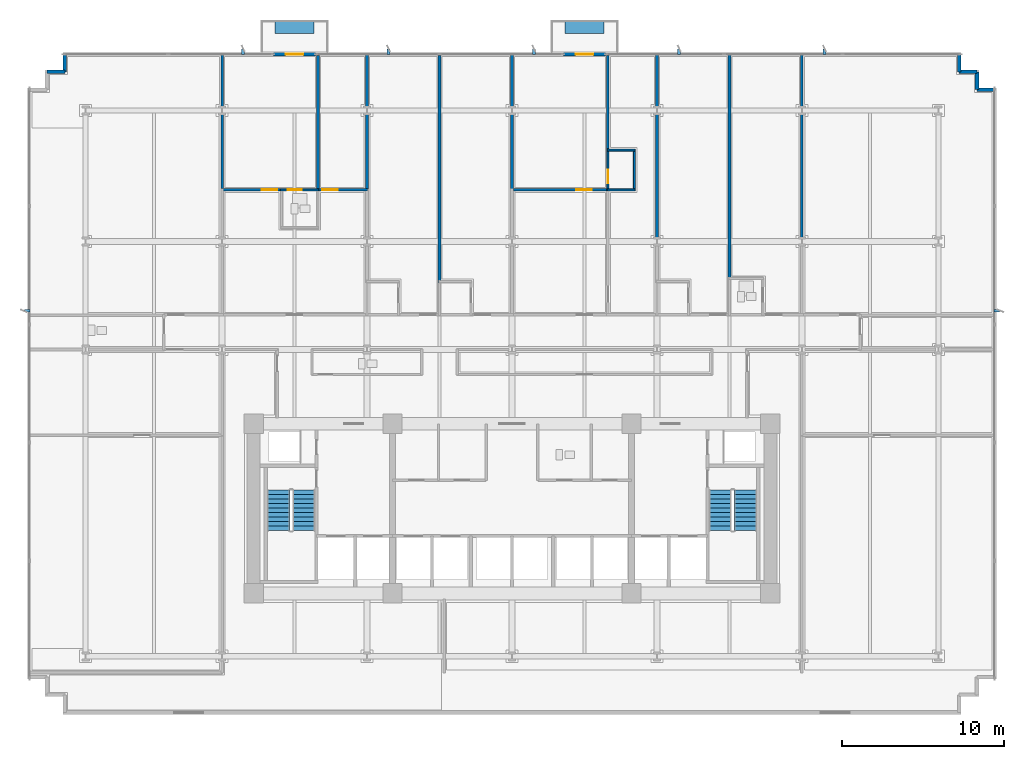
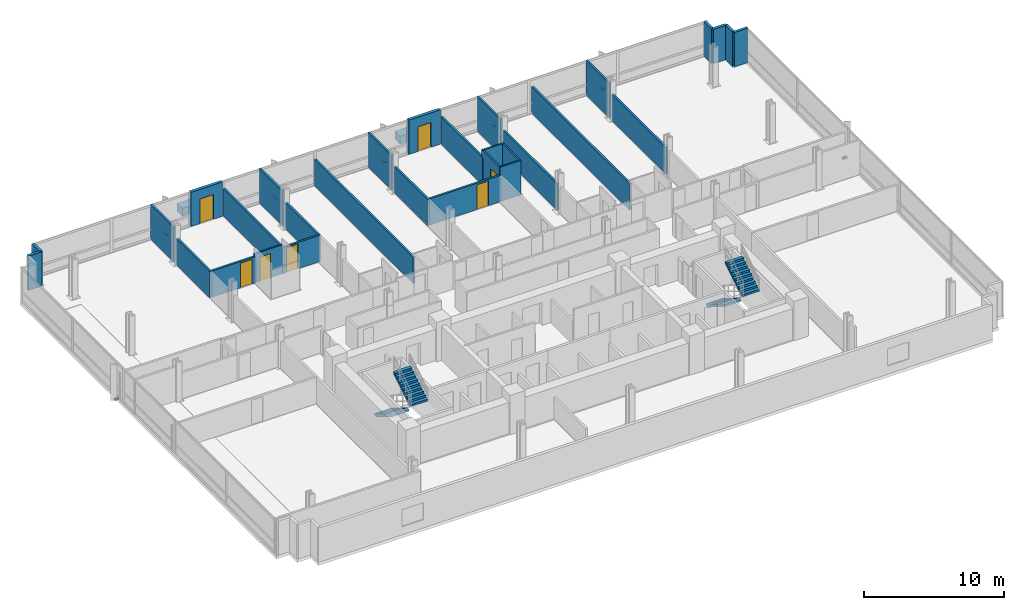
# One storey, part 11 of 15: 30 walls, 9 discrete accessories, 7 doors, 4 stair flights, 7 openings, 2 elements without a shape of their own.
"""IFC4 building model written with IfcOpenShell, lengths in metres."""

from ifc_helpers import new_model, si_unit, direction, frame, frame_2d, origin, origin_2d, place, context, subcontext, project, spatial, polyline, rectangle, outline, extrude, material, layer, layer_set, type_object, element, fill, aggregate, save


model = new_model("IFC4")

# Units and contexts
model_context = context("Model", 3, precision=1e-05, world=origin(), true_north=direction((0.0, 1.0)))
body_context = subcontext(model_context, "Body", "Model", "MODEL_VIEW")
ifc_project = project(units=[si_unit("LENGTHUNIT", "METRE"), si_unit("AREAUNIT", "SQUARE_METRE"), si_unit("VOLUMEUNIT", "CUBIC_METRE"), si_unit("PLANEANGLEUNIT", "RADIAN"), si_unit("MASSUNIT", "GRAM", prefix="KILO")], contexts=[model_context])

# Site, building, storey
site_placement = place(None, origin())
site = spatial("IfcSite", under=ifc_project, at=site_placement, CompositionType="ELEMENT")
building_placement = place(site_placement, origin())
building = spatial("IfcBuilding", under=site, at=building_placement, Name="Solmavex Isthmus Hotel", CompositionType="ELEMENT")
storey_placement = place(building_placement, frame((0.0, 0.0, 71.25)))
storey = spatial("IfcBuildingStorey", under=building, at=storey_placement, Name="L19", CompositionType="ELEMENT", Elevation=71.25)

# Wall, opening, door
ifc_material_1 = material(Name="Precast Concrete C40/50", Category="concrete")
ifc_layer_1 = layer(ifc_material_1, 0.25)
ifc_layer_set_1 = layer_set([ifc_layer_1], Name="Precast Concrete C40/50")
wall_type_1 = type_object("IfcWallType", Name="EW-TWR-250", PredefinedType="STANDARD", material=ifc_layer_set_1)
wall_1_placement = place(storey_placement, frame((-14.763916015625, 20.3798828125, 0.0), z_axis=(0.0, 0.0, 1.0), x_axis=(1.0, 0.0, 0.0)))
wall_1 = element("IfcWall", 1, at=wall_1_placement, inside=storey, type_object=wall_type_1, Name="Exterior Balcony Door Wall L19-2", PredefinedType="STANDARD", context=body_context, shape_type="SweptSolid", body=[
    extrude(rectangle(XDim=2.599853515625, YDim=0.239990234375, at=frame_2d((1.2998046875, 0.0))), origin(), (0.0, 0.0, 1.0), 3.0),
])
opening_1_placement = place(wall_1_placement, frame((0.75, 0.0, 0.0)))
opening_1 = element("IfcOpeningElement", 2, at=opening_1_placement, cuts=wall_1, Name="Opening ED-02", PredefinedType="OPENING", context=body_context, shape_type="SweptSolid", body=[
    extrude(rectangle(XDim=1.10009765625, YDim=2.14990234375, at=frame_2d((0.550048828125, 1.074951171875))), frame((0.0, 0.1298828125, 0.0), z_axis=(0.0, -1.0, 0.0), x_axis=(1.0, 0.0, 0.0)), (0.0, 0.0, 1.0), 0.260009765625),
])
ifc_material_2 = material(Name="Aluminium alloy 6063-T6", Category="aluminium")
door_type_1 = type_object("IfcDoorType", Name="EDR-BALC-1100", OperationType="NOTDEFINED", PredefinedType="DOOR", material=ifc_material_2)
door_1_placement = place(opening_1_placement, origin())
door_1 = element("IfcDoor", 3, at=door_1_placement, inside=storey, type_object=door_type_1, Name="Balcony & Terrace Glazed Door L19-2", OperationType="SINGLE_SWING_RIGHT", OverallHeight=2.14990234375, OverallWidth=1.10009765625, PredefinedType="DOOR", context=body_context, shape_type="SweptSolid", body=[
    extrude(rectangle(XDim=1.10009765625, YDim=2.14990234375, at=frame_2d((0.550048828125, 1.074951171875))), frame((0.0, 0.02490234375, 0.0), z_axis=(0.0, -1.0, 0.0), x_axis=(1.0, 0.0, 0.0)), (0.0, 0.0, 1.0), 0.050048828125),
])
fill(opening_1, door_1)

wall_2_placement = place(storey_placement, frame((3.18798828125, 20.3798828125, 0.0), z_axis=(0.0, 0.0, 1.0), x_axis=(1.0, 0.0, 0.0)))
wall_2 = element("IfcWall", 4, at=wall_2_placement, inside=storey, type_object=wall_type_1, Name="Exterior Balcony Door Wall L19-3", PredefinedType="STANDARD", context=body_context, shape_type="SweptSolid", body=[
    extrude(rectangle(XDim=2.60009765625, YDim=0.239990234375, at=frame_2d((1.300048828125, 0.0))), origin(), (0.0, 0.0, 1.0), 3.0),
])
opening_2_placement = place(wall_2_placement, frame((0.75, 0.0, 0.0)))
opening_2 = element("IfcOpeningElement", 5, at=opening_2_placement, cuts=wall_2, Name="Opening ED-02", PredefinedType="OPENING", context=body_context, shape_type="SweptSolid", body=[
    extrude(rectangle(XDim=1.10009765625, YDim=2.14990234375, at=frame_2d((0.550048828125, 1.074951171875))), frame((0.0, 0.1298828125, 0.0), z_axis=(0.0, -1.0, 0.0), x_axis=(1.0, 0.0, 0.0)), (0.0, 0.0, 1.0), 0.260009765625),
])
door_2_placement = place(opening_2_placement, origin())
door_2 = element("IfcDoor", 6, at=door_2_placement, inside=storey, type_object=door_type_1, Name="Balcony & Terrace Glazed Door L19-3", OperationType="SINGLE_SWING_LEFT", OverallHeight=2.14990234375, OverallWidth=1.10009765625, PredefinedType="DOOR", context=body_context, shape_type="SweptSolid", body=[
    extrude(rectangle(XDim=1.10009765625, YDim=2.14990234375, at=frame_2d((0.550048828125, 1.074951171875))), frame((0.0, 0.02490234375, 0.0), z_axis=(0.0, -1.0, 0.0), x_axis=(1.0, 0.0, 0.0)), (0.0, 0.0, 1.0), 0.050048828125),
])
fill(opening_2, door_2)

# Walls
wall_3_placement = place(storey_placement, frame((-28.7900390625, 19.2900390625, 0.0), z_axis=(0.0, 0.0, 1.0), x_axis=(1.0, 0.0, 0.0)))
element("IfcWall", 7, at=wall_3_placement, inside=storey, type_object=wall_type_1, Name="Serrated Corner Facade Panel L19-08", PredefinedType="STANDARD", context=body_context, shape_type="SweptSolid", body=[
    extrude(rectangle(XDim=1.10009765625, YDim=0.219970703125, at=frame_2d((0.550048828125, 0.0))), origin(), (0.0, 0.0, 1.0), 3.0),
])
for number, where, z_axis, x_axis, name in (
    (8, (-27.68994140625, 19.2900390625, 0.0), (0.0, 0.0, 1.0), (0.0, 1.0, 0.0), "Serrated Corner Facade Panel L19-09"),
    (9, (27.68994140625, 20.389892578125, 0.0), (0.0, 0.0, 1.0), (0.0, -1.0, 0.0), "Serrated Corner Facade Panel L19-11"),
):
    element("IfcWall", number, at=place(storey_placement, frame(where, z_axis=z_axis, x_axis=x_axis)), inside=storey, type_object=wall_type_1, Name=name, PredefinedType="STANDARD", context=body_context, shape_type="SweptSolid", body=[
        extrude(rectangle(XDim=1.099853515625, YDim=0.219970703125, at=frame_2d((0.5498046875, 0.0))), origin(), (0.0, 0.0, 1.0), 3.0),
    ])
for number, where, z_axis, x_axis, name in (
    (10, (27.68994140625, 19.2900390625, 0.0), (0.0, 0.0, 1.0), (1.0, 0.0, 0.0), "Serrated Corner Facade Panel L19-12"),
    (11, (28.7900390625, 19.2900390625, 0.0), (0.0, 0.0, 1.0), (0.0, -1.0, 0.0), "Serrated Corner Facade Panel L19-13"),
):
    element("IfcWall", number, at=place(storey_placement, frame(where, z_axis=z_axis, x_axis=x_axis)), inside=storey, type_object=wall_type_1, Name=name, PredefinedType="STANDARD", context=body_context, shape_type="SweptSolid", body=[
        extrude(rectangle(XDim=1.10009765625, YDim=0.219970703125, at=frame_2d((0.550048828125, 0.0))), origin(), (0.0, 0.0, 1.0), 3.0),
    ])
wall_4_placement = place(storey_placement, frame((28.7900390625, 18.18994140625, 0.0), z_axis=(0.0, 0.0, 1.0), x_axis=(1.0, 0.0, 0.0)))
element("IfcWall", 12, at=wall_4_placement, inside=storey, type_object=wall_type_1, Name="Serrated Corner Facade Panel L19-14", PredefinedType="STANDARD", context=body_context, shape_type="SweptSolid", body=[
    extrude(rectangle(XDim=1.099853515625, YDim=0.219970703125, at=frame_2d((0.5498046875, 0.0))), origin(), (0.0, 0.0, 1.0), 3.0),
])
ifc_material_3 = material(Name="Gypsum plasterboard lining", Category="gypsum")
ifc_layer_2 = layer(ifc_material_3, 0.159912109375)
ifc_layer_set_2 = layer_set([ifc_layer_2], Name="Gypsum plasterboard lining")
wall_type_2 = type_object("IfcWallType", Name="IW-COMP-160", PredefinedType="PARTITIONING", material=ifc_layer_set_2)
wall_5_placement = place(storey_placement, frame((-17.951904296875, 16.72509765625, 0.0), z_axis=(0.0, 0.0, 1.0), x_axis=(0.0, -1.0, 0.0)))
element("IfcWall", 13, at=wall_5_placement, inside=storey, type_object=wall_type_2, Name="Interior Partition Wall W-L19-P038", PredefinedType="PARTITIONING", context=body_context, shape_type="SweptSolid", body=[
    extrude(rectangle(XDim=4.819091796875, YDim=0.159912109375, at=frame_2d((2.40966796875, 0.0))), origin(), (0.0, 0.0, 1.0), 2.28955078125),
])
wall_6_placement = place(storey_placement, frame((-17.951904296875, 20.419921875, 0.0), z_axis=(0.0, 0.0, 1.0), x_axis=(0.0, -1.0, 0.0)))
element("IfcWall", 14, at=wall_6_placement, inside=storey, type_object=wall_type_2, Name="Interior Partition Wall W-L19-P039", PredefinedType="PARTITIONING", context=body_context, shape_type="SweptSolid", body=[
    extrude(rectangle(XDim=3.344970703125, YDim=0.159912109375, at=frame_2d((1.67236328125, 0.0))), origin(), (0.0, 0.0, 1.0), 3.0),
])

# Wall, opening, door
wall_7_placement = place(storey_placement, frame((-17.991943359375, 11.988037109375, 0.0), z_axis=(0.0, 0.0, 1.0), x_axis=(1.0, 0.0, 0.0)))
wall_7 = element("IfcWall", 15, at=wall_7_placement, inside=storey, type_object=wall_type_2, Name="Interior Partition Wall W-L19-P041", PredefinedType="PARTITIONING", context=body_context, shape_type="SweptSolid", body=[
    extrude(rectangle(XDim=3.767822265625, YDim=0.159912109375, at=frame_2d((1.8837890625, 0.0))), origin(), (0.0, 0.0, 1.0), 2.28955078125),
])
opening_3_placement = place(wall_7_placement, frame((2.493408203125, 0.0, 0.0)))
opening_3 = element("IfcOpeningElement", 16, at=opening_3_placement, cuts=wall_7, Name="Opening ID-C095", PredefinedType="OPENING", context=body_context, shape_type="SweptSolid", body=[
    extrude(rectangle(XDim=0.949951171875, YDim=2.14990234375, at=frame_2d((0.47509765625, 1.074951171875))), frame((0.0, 0.08984375, 0.0), z_axis=(0.0, -1.0, 0.0), x_axis=(1.0, 0.0, 0.0)), (0.0, 0.0, 1.0), 0.179931640625),
])
ifc_material_4 = material(Name="Hardwood timber", Category="wood")
door_type_2 = type_object("IfcDoorType", Name="IDR-FD60-0950", OperationType="NOTDEFINED", PredefinedType="DOOR", material=ifc_material_4)
door_3_placement = place(opening_3_placement, origin())
door_3 = element("IfcDoor", 17, at=door_3_placement, inside=storey, type_object=door_type_2, Name="Ambassador Suite Bedroom Door L19-03", OperationType="SINGLE_SWING_LEFT", OverallHeight=2.14990234375, OverallWidth=0.949951171875, PredefinedType="DOOR", context=body_context, shape_type="SweptSolid", body=[
    extrude(rectangle(XDim=0.949951171875, YDim=2.14990234375, at=frame_2d((0.47509765625, 1.074951171875))), frame((0.0, 0.02490234375, 0.0), z_axis=(0.0, -1.0, 0.0), x_axis=(1.0, 0.0, 0.0)), (0.0, 0.0, 1.0), 0.050048828125),
])
fill(opening_3, door_3)

wall_8_placement = place(storey_placement, frame((-12.053955078125, 11.988037109375, 0.0), z_axis=(0.0, 0.0, 1.0), x_axis=(1.0, 0.0, 0.0)))
wall_8 = element("IfcWall", 18, at=wall_8_placement, inside=storey, type_object=wall_type_2, Name="Interior Partition Wall W-L19-P042", PredefinedType="PARTITIONING", context=body_context, shape_type="SweptSolid", body=[
    extrude(rectangle(XDim=3.117919921875, YDim=0.159912109375, at=frame_2d((1.55908203125, 0.0))), origin(), (0.0, 0.0, 1.0), 2.28955078125),
])
opening_4_placement = place(wall_8_placement, frame((0.318359375, 0.0, 0.0)))
opening_4 = element("IfcOpeningElement", 19, at=opening_4_placement, cuts=wall_8, Name="Opening ID-C095", PredefinedType="OPENING", context=body_context, shape_type="SweptSolid", body=[
    extrude(rectangle(XDim=0.949951171875, YDim=2.14990234375, at=frame_2d((0.47509765625, 1.074951171875))), frame((0.0, 0.08984375, 0.0), z_axis=(0.0, -1.0, 0.0), x_axis=(1.0, 0.0, 0.0)), (0.0, 0.0, 1.0), 0.179931640625),
])
door_4_placement = place(opening_4_placement, origin())
door_4 = element("IfcDoor", 20, at=door_4_placement, inside=storey, type_object=door_type_2, Name="Ambassador Suite Sitting Lounge Door L19-04", OperationType="SINGLE_SWING_RIGHT", OverallHeight=2.14990234375, OverallWidth=0.949951171875, PredefinedType="DOOR", context=body_context, shape_type="SweptSolid", body=[
    extrude(rectangle(XDim=0.949951171875, YDim=2.14990234375, at=frame_2d((0.47509765625, 1.074951171875))), frame((0.0, 0.02490234375, 0.0), z_axis=(0.0, -1.0, 0.0), x_axis=(1.0, 0.0, 0.0)), (0.0, 0.0, 1.0), 0.050048828125),
])
fill(opening_4, door_4)

# Walls
wall_9_placement = place(storey_placement, frame((-12.013916015625, 20.300048828125, 0.0), z_axis=(0.0, 0.0, 1.0), x_axis=(0.0, -1.0, 0.0)))
element("IfcWall", 21, at=wall_9_placement, inside=storey, type_object=wall_type_2, Name="Interior Partition Wall W-L19-P049", PredefinedType="PARTITIONING", context=body_context, shape_type="SweptSolid", body=[
    extrude(rectangle(XDim=8.35205078125, YDim=0.159912109375, at=frame_2d((4.176025390625, 0.0))), origin(), (0.0, 0.0, 1.0), 2.36328125),
])
wall_10_placement = place(storey_placement, frame((-8.97607421875, 16.72509765625, 0.0), z_axis=(0.0, 0.0, 1.0), x_axis=(0.0, -1.0, 0.0)))
element("IfcWall", 22, at=wall_10_placement, inside=storey, type_object=wall_type_2, Name="Interior Partition Wall W-L19-P051", PredefinedType="PARTITIONING", context=body_context, shape_type="SweptSolid", body=[
    extrude(rectangle(XDim=4.777099609375, YDim=0.159912109375, at=frame_2d((2.388671875, 0.0))), origin(), (0.0, 0.0, 1.0), 2.28955078125),
])
wall_11_placement = place(storey_placement, frame((-8.97607421875, 20.419921875, 0.0), z_axis=(0.0, 0.0, 1.0), x_axis=(0.0, -1.0, 0.0)))
element("IfcWall", 23, at=wall_11_placement, inside=storey, type_object=wall_type_2, Name="Interior Partition Wall W-L19-P052", PredefinedType="PARTITIONING", context=body_context, shape_type="SweptSolid", body=[
    extrude(rectangle(XDim=3.344970703125, YDim=0.159912109375, at=frame_2d((1.67236328125, 0.0))), origin(), (0.0, 0.0, 1.0), 3.0),
])
wall_12_placement = place(storey_placement, frame((-4.488037109375, 20.300048828125, 0.0), z_axis=(0.0, 0.0, 1.0), x_axis=(0.0, -1.0, 0.0)))
element("IfcWall", 24, at=wall_12_placement, inside=storey, type_object=wall_type_2, Name="Interior Partition Wall W-L19-P055", PredefinedType="PARTITIONING", context=body_context, shape_type="SweptSolid", body=[
    extrude(rectangle(XDim=14.08203125, YDim=0.159912109375, at=frame_2d((7.041015625, 0.0))), origin(), (0.0, 0.0, 1.0), 2.28955078125),
])
wall_13_placement = place(storey_placement, frame((0.0, 16.72509765625, 0.0), z_axis=(0.0, 0.0, 1.0), x_axis=(0.0, -1.0, 0.0)))
element("IfcWall", 25, at=wall_13_placement, inside=storey, type_object=wall_type_2, Name="Interior Partition Wall W-L19-P061", PredefinedType="PARTITIONING", context=body_context, shape_type="SweptSolid", body=[
    extrude(rectangle(XDim=4.819091796875, YDim=0.159912109375, at=frame_2d((2.40966796875, 0.0))), origin(), (0.0, 0.0, 1.0), 2.28955078125),
])
wall_14_placement = place(storey_placement, frame((0.0, 20.419921875, 0.0), z_axis=(0.0, 0.0, 1.0), x_axis=(0.0, -1.0, 0.0)))
element("IfcWall", 26, at=wall_14_placement, inside=storey, type_object=wall_type_2, Name="Interior Partition Wall W-L19-P062", PredefinedType="PARTITIONING", context=body_context, shape_type="SweptSolid", body=[
    extrude(rectangle(XDim=3.344970703125, YDim=0.159912109375, at=frame_2d((1.67236328125, 0.0))), origin(), (0.0, 0.0, 1.0), 3.0),
])

# Wall, opening, door
wall_15_placement = place(storey_placement, frame((-0.0400390625, 11.988037109375, 0.0), z_axis=(0.0, 0.0, 1.0), x_axis=(1.0, 0.0, 0.0)))
wall_15 = element("IfcWall", 27, at=wall_15_placement, inside=storey, type_object=wall_type_2, Name="Interior Partition Wall W-L19-P063", PredefinedType="PARTITIONING", context=body_context, shape_type="SweptSolid", body=[
    extrude(rectangle(XDim=6.01806640625, YDim=0.159912109375, at=frame_2d((3.009033203125, 0.0))), origin(), (0.0, 0.0, 1.0), 2.28955078125),
])
opening_5_placement = place(wall_15_placement, frame((4.030517578125, 0.0, 0.0)))
opening_5 = element("IfcOpeningElement", 28, at=opening_5_placement, cuts=wall_15, Name="Opening ID-C095", PredefinedType="OPENING", context=body_context, shape_type="SweptSolid", body=[
    extrude(rectangle(XDim=0.949951171875, YDim=2.14990234375, at=frame_2d((0.47509765625, 1.074951171875))), frame((0.0, 0.08984375, 0.0), z_axis=(0.0, -1.0, 0.0), x_axis=(1.0, 0.0, 0.0)), (0.0, 0.0, 1.0), 0.179931640625),
])
door_5_placement = place(opening_5_placement, origin())
door_5 = element("IfcDoor", 29, at=door_5_placement, inside=storey, type_object=door_type_2, Name="Premier Suite Master Bedroom Door L19-11", OperationType="SINGLE_SWING_LEFT", OverallHeight=2.14990234375, OverallWidth=0.949951171875, PredefinedType="DOOR", context=body_context, shape_type="SweptSolid", body=[
    extrude(rectangle(XDim=0.949951171875, YDim=2.14990234375, at=frame_2d((0.47509765625, 1.074951171875))), frame((0.0, 0.02490234375, 0.0), z_axis=(0.0, -1.0, 0.0), x_axis=(1.0, 0.0, 0.0)), (0.0, 0.0, 1.0), 0.050048828125),
])
fill(opening_5, door_5)

# Walls
wall_16_placement = place(storey_placement, frame((5.93798828125, 20.300048828125, 0.0), z_axis=(0.0, 0.0, 1.0), x_axis=(0.0, -1.0, 0.0)))
element("IfcWall", 30, at=wall_16_placement, inside=storey, type_object=wall_type_2, Name="Interior Partition Wall W-L19-P065", PredefinedType="PARTITIONING", context=body_context, shape_type="SweptSolid", body=[
    extrude(rectangle(XDim=5.944091796875, YDim=0.159912109375, at=frame_2d((2.97216796875, 0.0))), origin(), (0.0, 0.0, 1.0), 2.36328125),
])
wall_17_placement = place(storey_placement, frame((8.97607421875, 16.72509765625, 0.0), z_axis=(0.0, 0.0, 1.0), x_axis=(0.0, -1.0, 0.0)))
element("IfcWall", 31, at=wall_17_placement, inside=storey, type_object=wall_type_2, Name="Interior Partition Wall W-L19-P071", PredefinedType="PARTITIONING", context=body_context, shape_type="SweptSolid", body=[
    extrude(rectangle(XDim=7.76220703125, YDim=0.159912109375, at=frame_2d((3.881103515625, 0.0))), origin(), (0.0, 0.0, 1.0), 2.28955078125),
])
wall_18_placement = place(storey_placement, frame((8.97607421875, 20.419921875, 0.0), z_axis=(0.0, 0.0, 1.0), x_axis=(0.0, -1.0, 0.0)))
element("IfcWall", 32, at=wall_18_placement, inside=storey, type_object=wall_type_2, Name="Interior Partition Wall W-L19-P072", PredefinedType="PARTITIONING", context=body_context, shape_type="SweptSolid", body=[
    extrude(rectangle(XDim=3.344970703125, YDim=0.159912109375, at=frame_2d((1.67236328125, 0.0))), origin(), (0.0, 0.0, 1.0), 3.0),
])
wall_19_placement = place(storey_placement, frame((13.464111328125, 20.419921875, 0.0), z_axis=(0.0, 0.0, 1.0), x_axis=(0.0, -1.0, 0.0)))
element("IfcWall", 33, at=wall_19_placement, inside=storey, type_object=wall_type_2, Name="Interior Partition Wall W-L19-P076", PredefinedType="PARTITIONING", context=body_context, shape_type="SweptSolid", body=[
    extrude(rectangle(XDim=14.001953125, YDim=0.159912109375, at=frame_2d((7.0009765625, 0.0))), origin(), (0.0, 0.0, 1.0), 2.28955078125),
])
wall_20_placement = place(storey_placement, frame((17.951904296875, 16.72509765625, 0.0), z_axis=(0.0, 0.0, 1.0), x_axis=(0.0, -1.0, 0.0)))
element("IfcWall", 34, at=wall_20_placement, inside=storey, type_object=wall_type_2, Name="Interior Partition Wall W-L19-P081", PredefinedType="PARTITIONING", context=body_context, shape_type="SweptSolid", body=[
    extrude(rectangle(XDim=7.76220703125, YDim=0.159912109375, at=frame_2d((3.881103515625, 0.0))), origin(), (0.0, 0.0, 1.0), 2.28955078125),
])
wall_21_placement = place(storey_placement, frame((17.951904296875, 20.419921875, 0.0), z_axis=(0.0, 0.0, 1.0), x_axis=(0.0, -1.0, 0.0)))
element("IfcWall", 35, at=wall_21_placement, inside=storey, type_object=wall_type_2, Name="Interior Partition Wall W-L19-P082", PredefinedType="PARTITIONING", context=body_context, shape_type="SweptSolid", body=[
    extrude(rectangle(XDim=3.344970703125, YDim=0.159912109375, at=frame_2d((1.67236328125, 0.0))), origin(), (0.0, 0.0, 1.0), 3.0),
])

# Wall, opening, door
ifc_layer_3 = layer(ifc_material_3, 0.1201171875)
ifc_layer_set_3 = layer_set([ifc_layer_3], Name="Gypsum plasterboard lining")
wall_type_3 = type_object("IfcWallType", Name="IW-PART-120", PredefinedType="PARTITIONING", material=ifc_layer_set_3)
wall_22_placement = place(storey_placement, frame((-11.97412109375, 11.988037109375, 0.0), z_axis=(0.0, 0.0, 1.0), x_axis=(-1.0, 0.0, 0.0)))
wall_22 = element("IfcWall", 36, at=wall_22_placement, inside=storey, type_object=wall_type_3, Name="Interior Partition Wall W-L19-P050", PredefinedType="PARTITIONING", context=body_context, shape_type="SweptSolid", body=[
    extrude(rectangle(XDim=2.371826171875, YDim=0.1201171875, at=frame_2d((1.18603515625, 0.0))), origin(), (0.0, 0.0, 1.0), 2.528076171875),
])
opening_6_placement = place(wall_22_placement, frame((1.0498046875, 0.0, 0.0)))
opening_6 = element("IfcOpeningElement", 37, at=opening_6_placement, cuts=wall_22, Name="Opening ID-U085", PredefinedType="OPENING", context=body_context, shape_type="SweptSolid", body=[
    extrude(rectangle(XDim=0.85009765625, YDim=2.10009765625, at=frame_2d((0.425048828125, 1.050048828125))), frame((0.0, 0.070068359375, 0.0), z_axis=(0.0, -1.0, 0.0), x_axis=(1.0, 0.0, 0.0)), (0.0, 0.0, 1.0), 0.14013671875),
])
door_type_3 = type_object("IfcDoorType", Name="IDR-UNR-0850", OperationType="NOTDEFINED", PredefinedType="DOOR", material=ifc_material_4)
door_6_placement = place(opening_6_placement, frame((0.85009765625, 0.0, 0.0), z_axis=(0.0, 0.0, 1.0), x_axis=(-1.0, 0.0, 0.0)))
door_6 = element("IfcDoor", 38, at=door_6_placement, inside=storey, type_object=door_type_3, Name="En-suite Bathroom Door L19-05", OperationType="SINGLE_SWING_LEFT", OverallHeight=2.10009765625, OverallWidth=0.85009765625, PredefinedType="DOOR", context=body_context, shape_type="SweptSolid", body=[
    extrude(rectangle(XDim=0.85009765625, YDim=2.10009765625, at=frame_2d((0.425048828125, 1.050048828125))), frame((0.0, 0.02490234375, 0.0), z_axis=(0.0, -1.0, 0.0), x_axis=(1.0, 0.0, 0.0)), (0.0, 0.0, 1.0), 0.050048828125),
])
fill(opening_6, door_6)

wall_23_placement = place(storey_placement, frame((5.93798828125, 14.52001953125, 0.0), z_axis=(0.0, 0.0, 1.0), x_axis=(0.0, -1.0, 0.0)))
wall_23 = element("IfcWall", 39, at=wall_23_placement, inside=storey, type_object=wall_type_3, Name="Interior Partition Wall W-L19-P066", PredefinedType="PARTITIONING", context=body_context, shape_type="SweptSolid", body=[
    extrude(rectangle(XDim=2.572021484375, YDim=0.1201171875, at=frame_2d((1.2861328125, 0.0))), origin(), (0.0, 0.0, 1.0), 3.0),
])
opening_7_placement = place(wall_23_placement, frame((1.27978515625, 0.0, 0.0)))
opening_7 = element("IfcOpeningElement", 40, at=opening_7_placement, cuts=wall_23, Name="Opening ID-U085", PredefinedType="OPENING", context=body_context, shape_type="SweptSolid", body=[
    extrude(rectangle(XDim=0.85009765625, YDim=2.10009765625, at=frame_2d((0.425048828125, 1.050048828125))), frame((0.0, 0.070068359375, 0.0), z_axis=(0.0, -1.0, 0.0), x_axis=(1.0, 0.0, 0.0)), (0.0, 0.0, 1.0), 0.14013671875),
])
door_7_placement = place(opening_7_placement, frame((0.85009765625, 0.0, 0.0), z_axis=(0.0, 0.0, 1.0), x_axis=(-1.0, 0.0, 0.0)))
door_7 = element("IfcDoor", 41, at=door_7_placement, inside=storey, type_object=door_type_3, Name="En-suite Bathroom Door L19-13", OperationType="SINGLE_SWING_LEFT", OverallHeight=2.10009765625, OverallWidth=0.85009765625, PredefinedType="DOOR", context=body_context, shape_type="SweptSolid", body=[
    extrude(rectangle(XDim=0.85009765625, YDim=2.10009765625, at=frame_2d((0.425048828125, 1.050048828125))), frame((0.0, 0.02490234375, 0.0), z_axis=(0.0, -1.0, 0.0), x_axis=(1.0, 0.0, 0.0)), (0.0, 0.0, 1.0), 0.050048828125),
])
fill(opening_7, door_7)

# Walls
wall_24_placement = place(storey_placement, frame((5.89794921875, 11.988037109375, 0.0), z_axis=(0.0, 0.0, 1.0), x_axis=(1.0, 0.0, 0.0)))
element("IfcWall", 42, at=wall_24_placement, inside=storey, type_object=wall_type_3, Name="Interior Partition Wall W-L19-P067", PredefinedType="PARTITIONING", context=body_context, shape_type="SweptSolid", body=[
    extrude(rectangle(XDim=1.718017578125, YDim=0.1201171875, at=frame_2d((0.85888671875, 0.0))), origin(), (0.0, 0.0, 1.0), 3.0),
])
wall_25_placement = place(storey_placement, frame((7.575927734375, 11.947998046875, 0.0), z_axis=(0.0, 0.0, 1.0), x_axis=(0.0, 1.0, 0.0)))
element("IfcWall", 43, at=wall_25_placement, inside=storey, type_object=wall_type_3, Name="Interior Partition Wall W-L19-P068", PredefinedType="PARTITIONING", context=body_context, shape_type="SweptSolid", body=[
    extrude(rectangle(XDim=2.530029296875, YDim=0.1201171875, at=frame_2d((1.26513671875, 0.0))), origin(), (0.0, 0.0, 1.0), 3.0),
])
wall_26_placement = place(storey_placement, frame((7.615966796875, 14.43798828125, 0.0), z_axis=(0.0, 0.0, 1.0), x_axis=(-1.0, 0.0, 0.0)))
element("IfcWall", 44, at=wall_26_placement, inside=storey, type_object=wall_type_3, Name="Interior Partition Wall W-L19-P069", PredefinedType="PARTITIONING", context=body_context, shape_type="SweptSolid", body=[
    extrude(rectangle(XDim=1.718017578125, YDim=0.1201171875, at=frame_2d((0.85888671875, 0.0))), origin(), (0.0, 0.0, 1.0), 3.0),
])

# Stair, stair flights
ifc_material_5 = material(Name="Concrete C40/50", Category="concrete")
stair_type_1 = type_object("IfcStairType", Name="STR-ST-1", PredefinedType="HALF_TURN_STAIR", material=ifc_material_5)
stair_1_placement = place(storey_placement, origin())
stair_1 = element("IfcStair", 45, at=stair_1_placement, inside=storey, type_object=stair_type_1, Name="L19 Protected Exit Stair ST-1", PredefinedType="HALF_TURN_STAIR")
stair_flight_type_1 = type_object("IfcStairFlightType", Name="SFL-ST-1", PredefinedType="STRAIGHT", material=ifc_material_5)
stair_flight_1_placement = place(storey_placement, frame((-14.449951171875, -6.60009765625, 0.0), z_axis=(0.0, 0.0, 1.0), x_axis=(0.0, -1.0, 0.0)))
stair_flight_1 = element("IfcStairFlight", 46, at=stair_flight_1_placement, type_object=stair_flight_type_1, Name="ST-1 flight 1", NumberOfRisers=10, NumberOfTreads=9, PredefinedType="STRAIGHT", RiserHeight=0.1725, TreadLength=0.28, context=body_context, shape_type="SweptSolid", body=[
    extrude(outline(polyline([(0.0, 0.0), (0.0, 0.172607421875), (0.280029296875, 0.172607421875), (0.280029296875, 0.344970703125), (0.56005859375, 0.344970703125), (0.56005859375, 0.517578125), (0.840087890625, 0.517578125), (0.840087890625, 0.68994140625), (1.1201171875, 0.68994140625), (1.1201171875, 0.862548828125), (1.39990234375, 0.862548828125), (1.39990234375, 1.034912109375), (1.679931640625, 1.034912109375), (1.679931640625, 1.20751953125), (1.9599609375, 1.20751953125), (1.9599609375, 1.3798828125), (2.239990234375, 1.3798828125), (2.239990234375, 1.552490234375), (2.52001953125, 1.552490234375), (2.52001953125, 1.72509765625), (2.52001953125, 1.37646484375), (0.285888671875, 0.0), (0.0, 0.0)])), frame((0.0, 0.699951171875, 0.0), z_axis=(0.0, -1.0, 0.0), x_axis=(1.0, 0.0, 0.0)), (0.0, 0.0, 1.0), 1.39990234375),
])
stair_flight_2_placement = place(storey_placement, frame((-12.89990234375, -9.1201171875, 1.72509765625), z_axis=(0.0, 0.0, 1.0), x_axis=(0.0, 1.0, 0.0)))
stair_flight_2 = element("IfcStairFlight", 47, at=stair_flight_2_placement, type_object=stair_flight_type_1, Name="ST-1 flight 2", NumberOfRisers=10, NumberOfTreads=9, PredefinedType="STRAIGHT", RiserHeight=0.1725, TreadLength=0.28, context=body_context, shape_type="SweptSolid", body=[
    extrude(outline(polyline([(0.0, 0.0), (0.0, 0.172607421875), (0.280029296875, 0.172607421875), (0.280029296875, 0.344970703125), (0.56005859375, 0.344970703125), (0.56005859375, 0.517578125), (0.840087890625, 0.517578125), (0.840087890625, 0.68994140625), (1.1201171875, 0.68994140625), (1.1201171875, 0.862548828125), (1.39990234375, 0.862548828125), (1.39990234375, 1.034912109375), (1.679931640625, 1.034912109375), (1.679931640625, 1.20751953125), (1.9599609375, 1.20751953125), (1.9599609375, 1.3798828125), (2.239990234375, 1.3798828125), (2.239990234375, 1.552490234375), (2.52001953125, 1.552490234375), (2.52001953125, 1.72509765625), (2.52001953125, 1.37646484375), (0.285888671875, 0.0), (0.0, 0.0)])), frame((0.0, 0.699951171875, 0.0), z_axis=(0.0, -1.0, 0.0), x_axis=(1.0, 0.0, 0.0)), (0.0, 0.0, 1.0), 1.39990234375),
])
aggregate(stair_1, [stair_flight_1, stair_flight_2])

stair_type_2 = type_object("IfcStairType", Name="STR-ST-2", PredefinedType="HALF_TURN_STAIR", material=ifc_material_5)
stair_2_placement = place(storey_placement, origin())
stair_2 = element("IfcStair", 48, at=stair_2_placement, inside=storey, type_object=stair_type_2, Name="L19 Protected Exit Stair ST-2", PredefinedType="HALF_TURN_STAIR")
stair_flight_type_2 = type_object("IfcStairFlightType", Name="SFL-ST-2", PredefinedType="STRAIGHT", material=ifc_material_5)
stair_flight_3_placement = place(storey_placement, frame((12.89990234375, -6.60009765625, 0.0), z_axis=(0.0, 0.0, 1.0), x_axis=(0.0, -1.0, 0.0)))
stair_flight_3 = element("IfcStairFlight", 49, at=stair_flight_3_placement, type_object=stair_flight_type_2, Name="ST-2 flight 1", NumberOfRisers=10, NumberOfTreads=9, PredefinedType="STRAIGHT", RiserHeight=0.1725, TreadLength=0.28, context=body_context, shape_type="SweptSolid", body=[
    extrude(outline(polyline([(0.0, 0.0), (0.0, 0.172607421875), (0.280029296875, 0.172607421875), (0.280029296875, 0.344970703125), (0.56005859375, 0.344970703125), (0.56005859375, 0.517578125), (0.840087890625, 0.517578125), (0.840087890625, 0.68994140625), (1.1201171875, 0.68994140625), (1.1201171875, 0.862548828125), (1.39990234375, 0.862548828125), (1.39990234375, 1.034912109375), (1.679931640625, 1.034912109375), (1.679931640625, 1.20751953125), (1.9599609375, 1.20751953125), (1.9599609375, 1.3798828125), (2.239990234375, 1.3798828125), (2.239990234375, 1.552490234375), (2.52001953125, 1.552490234375), (2.52001953125, 1.72509765625), (2.52001953125, 1.37646484375), (0.285888671875, 0.0), (0.0, 0.0)])), frame((0.0, 0.699951171875, 0.0), z_axis=(0.0, -1.0, 0.0), x_axis=(1.0, 0.0, 0.0)), (0.0, 0.0, 1.0), 1.39990234375),
])
stair_flight_4_placement = place(storey_placement, frame((14.449951171875, -9.1201171875, 1.72509765625), z_axis=(0.0, 0.0, 1.0), x_axis=(0.0, 1.0, 0.0)))
stair_flight_4 = element("IfcStairFlight", 50, at=stair_flight_4_placement, type_object=stair_flight_type_2, Name="ST-2 flight 2", NumberOfRisers=10, NumberOfTreads=9, PredefinedType="STRAIGHT", RiserHeight=0.1725, TreadLength=0.28, context=body_context, shape_type="SweptSolid", body=[
    extrude(outline(polyline([(0.0, 0.0), (0.0, 0.172607421875), (0.280029296875, 0.172607421875), (0.280029296875, 0.344970703125), (0.56005859375, 0.344970703125), (0.56005859375, 0.517578125), (0.840087890625, 0.517578125), (0.840087890625, 0.68994140625), (1.1201171875, 0.68994140625), (1.1201171875, 0.862548828125), (1.39990234375, 0.862548828125), (1.39990234375, 1.034912109375), (1.679931640625, 1.034912109375), (1.679931640625, 1.20751953125), (1.9599609375, 1.20751953125), (1.9599609375, 1.3798828125), (2.239990234375, 1.3798828125), (2.239990234375, 1.552490234375), (2.52001953125, 1.552490234375), (2.52001953125, 1.72509765625), (2.52001953125, 1.37646484375), (0.285888671875, 0.0), (0.0, 0.0)])), frame((0.0, 0.699951171875, 0.0), z_axis=(0.0, -1.0, 0.0), x_axis=(1.0, 0.0, 0.0)), (0.0, 0.0, 1.0), 1.39990234375),
])
aggregate(stair_2, [stair_flight_3, stair_flight_4])

# Discrete accessories
ifc_material_6 = material(Name="Steel ASTM A572 Grade 50", Category="steel")
discrete_accessory_type_1 = type_object("IfcDiscreteAccessoryType", Name="ACC-BRK-FIN", PredefinedType="BRACKET", material=ifc_material_6)
for number, where, z_axis, x_axis, name in (
    (51, (-16.64990234375, 20.52001953125, -0.169921875), (0.0, 0.0, 1.0), (0.0, 1.0, 0.0), "Facade Fin Support Bracket L19-N1"),
    (52, (-7.64990234375, 20.52001953125, -0.169921875), (0.0, 0.0, 1.0), (0.0, 1.0, 0.0), "Facade Fin Support Bracket L19-N2"),
    (53, (1.35009765625, 20.52001953125, -0.169921875), (0.0, 0.0, 1.0), (0.0, 1.0, 0.0), "Facade Fin Support Bracket L19-N3"),
    (54, (10.35009765625, 20.52001953125, -0.169921875), (0.0, 0.0, 1.0), (0.0, 1.0, 0.0), "Facade Fin Support Bracket L19-N4"),
    (55, (19.35009765625, 20.52001953125, -0.169921875), (0.0, 0.0, 1.0), (0.0, 1.0, 0.0), "Facade Fin Support Bracket L19-N5"),
    (56, (-30.02001953125, 4.5, -0.169921875), (0.0, 0.0, 1.0), (-1.0, 0.0, 0.0), "Facade Fin Support Bracket L19-W1"),
    (57, (30.02001953125, 4.5, -0.169921875), (0.0, 0.0, 1.0), (1.0, 0.0, 0.0), "Facade Fin Support Bracket L19-E1"),
):
    element("IfcDiscreteAccessory", number, at=place(storey_placement, frame(where, z_axis=z_axis, x_axis=x_axis)), inside=storey, type_object=discrete_accessory_type_1, Name=name, PredefinedType="BRACKET", context=body_context, shape_type="SweptSolid", body=[
        extrude(rectangle(XDim=0.340087890625, YDim=0.179931640625, at=origin_2d()), origin(), (0.0, 0.0, 1.0), 0.159912109375),
    ])
discrete_accessory_type_2 = type_object("IfcDiscreteAccessoryType", Name="ACC-PLN-BALC", PredefinedType="USERDEFINED", material=ifc_material_1)
for number, where, z_axis, x_axis, name in (
    (58, (-13.464111328125, 22.050048828125, 0.0), (0.0, 0.0, 1.0), (1.0, 0.0, 0.0), "Tree-Balcony Architectural Planter L19-B1"),
    (59, (4.488037109375, 22.050048828125, 0.0), (0.0, 0.0, 1.0), (1.0, 0.0, 0.0), "Tree-Balcony Architectural Planter L19-B2"),
):
    element("IfcDiscreteAccessory", number, at=place(storey_placement, frame(where, z_axis=z_axis, x_axis=x_axis)), inside=storey, type_object=discrete_accessory_type_2, Name=name, ObjectType="PLANTER", PredefinedType="USERDEFINED", context=body_context, shape_type="SweptSolid", body=[
        extrude(rectangle(XDim=2.39990234375, YDim=0.75, at=origin_2d()), origin(), (0.0, 0.0, 1.0), 0.699951171875),
    ])

save(model, "model.ifc")
